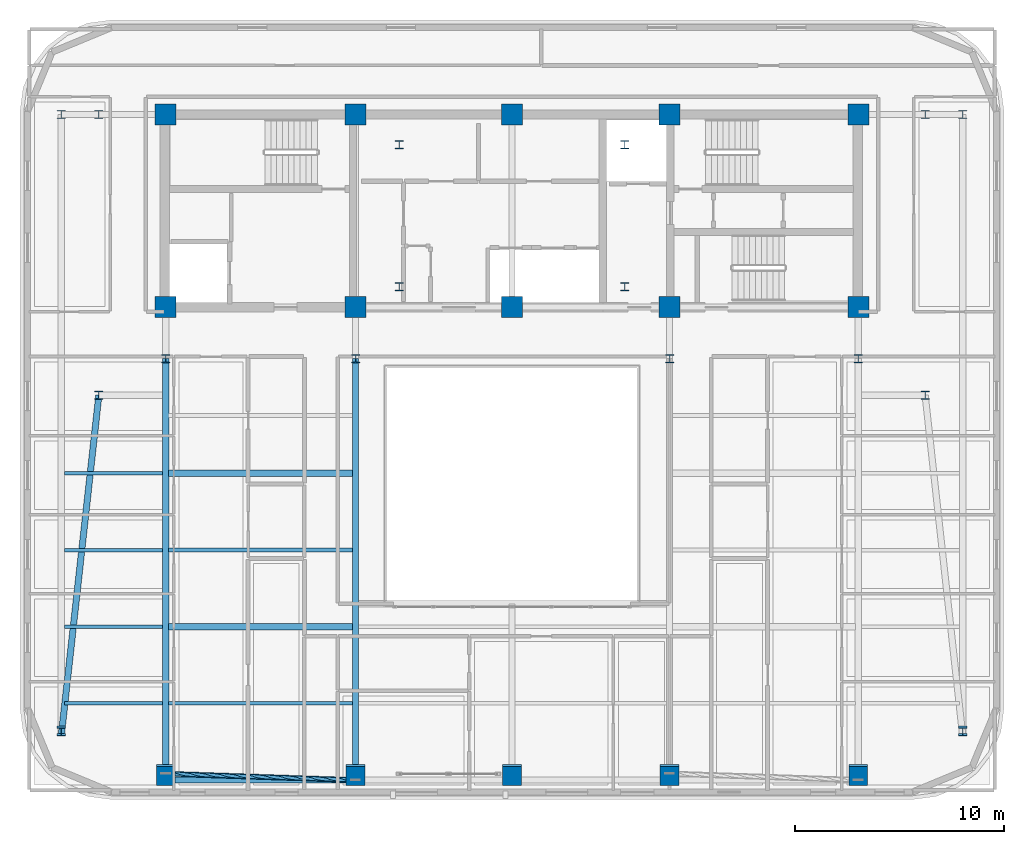
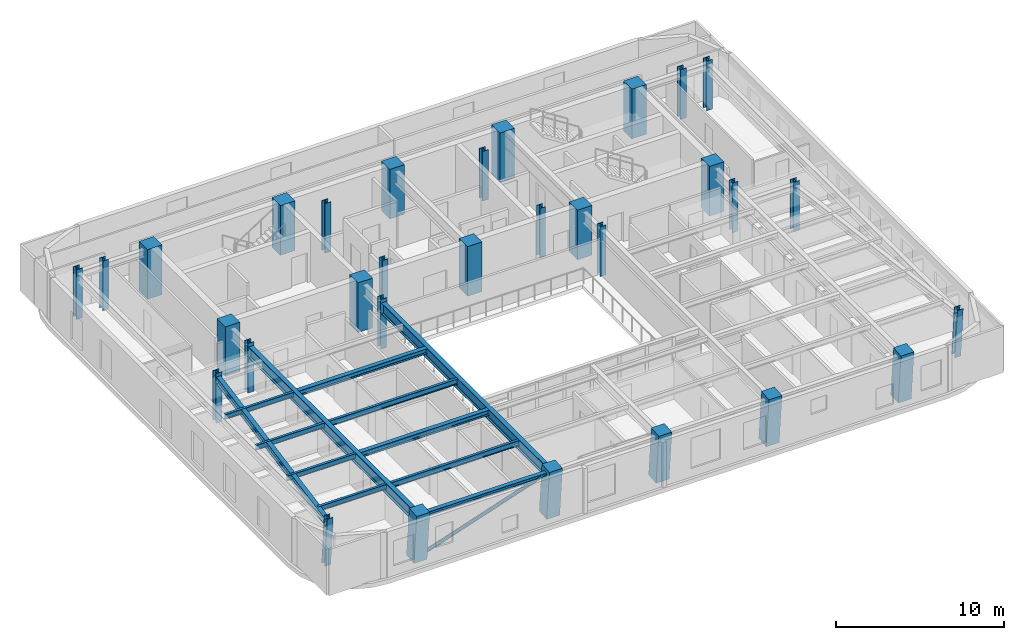
# One storey, part 1 of 14: 31 columns, 12 beams, 1 member.
"""IFC4 building model written with IfcOpenShell, lengths in metres."""

from ifc_helpers import new_model, si_unit, direction, frame, origin, origin_2d, place, context, subcontext, project, spatial, rectangle, hollow_circle, i_section, extrude, material, material_profile, profile_set, type_object, element, save


model = new_model("IFC4")

# Units and contexts
model_context = context("Model", 3, precision=1e-05, world=origin(), true_north=direction((0.0, 1.0)))
body_context = subcontext(model_context, "Body", "Model", "MODEL_VIEW")
ifc_project = project(units=[si_unit("LENGTHUNIT", "METRE"), si_unit("AREAUNIT", "SQUARE_METRE"), si_unit("VOLUMEUNIT", "CUBIC_METRE"), si_unit("PLANEANGLEUNIT", "RADIAN"), si_unit("MASSUNIT", "GRAM", prefix="KILO")], contexts=[model_context])

# Site, building, storey
site_placement = place(None, origin())
site = spatial("IfcSite", under=ifc_project, at=site_placement, CompositionType="ELEMENT")
building_placement = place(site_placement, origin())
building = spatial("IfcBuilding", under=site, at=building_placement, Name="Zarnavel Station Tower", CompositionType="ELEMENT")
storey_placement = place(building_placement, frame((0.0, 0.0, 229.199951171875)))
storey = spatial("IfcBuildingStorey", under=building, at=storey_placement, Name="L62", CompositionType="ELEMENT", Elevation=229.199951171875)

# Columns
ifc_material_1 = material(Name="Steel S355J2", Category="steel")
ifc_material_profile_1 = material_profile(ifc_material_1, i_section(OverallWidth=0.407958984375, OverallDepth=0.39990234375, WebThickness=0.02490234375, FlangeThickness=0.0390625, FilletRadius=0.014892578125, at=origin_2d()), Name="HD400x287")
ifc_profile_set_1 = profile_set([ifc_material_profile_1], Name="Steel S355J2")
column_type_1 = type_object("IfcColumnType", Name="EC_HD287", PredefinedType="COLUMN", material=ifc_profile_set_1)
column_1_placement = place(storey_placement, frame((7.199951171875, 7.55419921875, 0.0), z_axis=(0.0, -0.079901051777, 0.996802799918), x_axis=(1.0, 0.0, 0.0)))
element("IfcColumn", 1, at=column_1_placement, inside=storey, type_object=column_type_1, Name="L62 Raked Wing Column 1", PredefinedType="COLUMN", context=body_context, shape_type="SweptSolid", body=[
    extrude(i_section(OverallWidth=0.407958984375, OverallDepth=0.39990234375, WebThickness=0.02490234375, FlangeThickness=0.0390625, FilletRadius=0.014892578125, at=origin_2d()), origin(), (0.0, 0.0, 1.0), 3.611572265625),
])
column_2_placement = place(storey_placement, frame((7.199951171875, 37.050048828125, 0.0), z_axis=(0.0, 0.0, 1.0), x_axis=(1.0, 0.0, 0.0)))
element("IfcColumn", 2, at=column_2_placement, inside=storey, type_object=column_type_1, Name="L62 Outer Wing North Column 1", PredefinedType="COLUMN", context=body_context, shape_type="SweptSolid", body=[
    extrude(i_section(OverallWidth=0.407958984375, OverallDepth=0.39990234375, WebThickness=0.02490234375, FlangeThickness=0.0390625, FilletRadius=0.014892578125, at=origin_2d()), origin(), (0.0, 0.0, 1.0), 3.60009765625),
])
column_3_placement = place(storey_placement, frame((50.39990234375, 7.55419921875, 0.0), z_axis=(0.0, -0.079901051777, 0.996802799918), x_axis=(1.0, 0.0, 0.0)))
element("IfcColumn", 3, at=column_3_placement, inside=storey, type_object=column_type_1, Name="L62 Raked Wing Column 2", PredefinedType="COLUMN", context=body_context, shape_type="SweptSolid", body=[
    extrude(i_section(OverallWidth=0.407958984375, OverallDepth=0.39990234375, WebThickness=0.02490234375, FlangeThickness=0.0390625, FilletRadius=0.014892578125, at=origin_2d()), origin(), (0.0, 0.0, 1.0), 3.611572265625),
])
column_4_placement = place(storey_placement, frame((50.39990234375, 37.050048828125, 0.0), z_axis=(0.0, 0.0, 1.0), x_axis=(1.0, 0.0, 0.0)))
element("IfcColumn", 4, at=column_4_placement, inside=storey, type_object=column_type_1, Name="L62 Outer Wing North Column 2", PredefinedType="COLUMN", context=body_context, shape_type="SweptSolid", body=[
    extrude(i_section(OverallWidth=0.407958984375, OverallDepth=0.39990234375, WebThickness=0.02490234375, FlangeThickness=0.0390625, FilletRadius=0.014892578125, at=origin_2d()), origin(), (0.0, 0.0, 1.0), 3.60009765625),
])
ifc_material_2 = material(Name="Steel S355J2", Category="steel")
ifc_material_profile_2 = material_profile(ifc_material_2, i_section(OverallWidth=0.407958984375, OverallDepth=0.39990234375, WebThickness=0.02490234375, FlangeThickness=0.0390625, FilletRadius=0.014892578125, at=origin_2d()), Name="HD400x287")
ifc_profile_set_2 = profile_set([ifc_material_profile_2], Name="Steel S355J2")
column_type_2 = type_object("IfcColumnType", Name="IC_HD287", PredefinedType="COLUMN", material=ifc_profile_set_2)
for number, where, z_axis, x_axis, name in (
    (5, (23.39990234375, 28.800048828125, 0.0), (0.0, 0.0, 1.0), (1.0, 0.0, 0.0), "L62 Mast Spine Column 1"),
    (6, (34.199951171875, 28.800048828125, 0.0), (0.0, 0.0, 1.0), (1.0, 0.0, 0.0), "L62 Mast Spine Column 2"),
    (7, (34.199951171875, 35.60009765625, 0.0), (0.0, 0.0, 1.0), (1.0, 0.0, 0.0), "L62 Mast Spine Column 3"),
    (8, (23.39990234375, 35.60009765625, 0.0), (0.0, 0.0, 1.0), (1.0, 0.0, 0.0), "L62 Mast Spine Column 4"),
    (9, (12.199951171875, 25.35009765625, 0.0), (0.0, 0.0, 1.0), (1.0, 0.0, 0.0), "L62 Inner Spine Column 1"),
    (10, (21.300048828125, 25.35009765625, 0.0), (0.0, 0.0, 1.0), (1.0, 0.0, 0.0), "L62 Inner Spine Column 2"),
    (11, (36.35009765625, 25.35009765625, 0.0), (0.0, 0.0, 1.0), (1.0, 0.0, 0.0), "L62 Inner Spine Column 4"),
    (12, (45.39990234375, 25.35009765625, 0.0), (0.0, 0.0, 1.0), (1.0, 0.0, 0.0), "L62 Inner Spine Column 5"),
    (13, (9.0, 23.60009765625, 0.0), (0.0, 0.0, 1.0), (1.0, 0.0, 0.0), "L62 Inner Wing Spine Column 1-1"),
    (14, (9.0, 37.050048828125, 0.0), (0.0, 0.0, 1.0), (1.0, 0.0, 0.0), "L62 Inner Wing Spine Column 1-2"),
    (15, (48.60009765625, 23.60009765625, 0.0), (0.0, 0.0, 1.0), (1.0, 0.0, 0.0), "L62 Inner Wing Spine Column 2-1"),
    (16, (48.60009765625, 37.050048828125, 0.0), (0.0, 0.0, 1.0), (1.0, 0.0, 0.0), "L62 Inner Wing Spine Column 2-2"),
):
    element("IfcColumn", number, at=place(storey_placement, frame(where, z_axis=z_axis, x_axis=x_axis)), inside=storey, type_object=column_type_2, Name=name, PredefinedType="COLUMN", context=body_context, shape_type="SweptSolid", body=[
        extrude(i_section(OverallWidth=0.407958984375, OverallDepth=0.39990234375, WebThickness=0.02490234375, FlangeThickness=0.0390625, FilletRadius=0.014892578125, at=origin_2d()), origin(), (0.0, 0.0, 1.0), 3.60009765625),
    ])
ifc_material_3 = material(Name="Concrete C50/60", Category="concrete")
ifc_material_profile_3 = material_profile(ifc_material_3, rectangle(XDim=1.0, YDim=1.0, at=origin_2d()), Name="RC1000x1000")
ifc_profile_set_3 = profile_set([ifc_material_profile_3], Name="Concrete C50/60")
column_type_3 = type_object("IfcColumnType", Name="IC_RC1000", PredefinedType="COLUMN", material=ifc_profile_set_3)
for number, where, z_axis, x_axis, name in (
    (17, (12.199951171875, 27.820068359375, 0.0), (0.0, 0.0, 1.0), (1.0, 0.0, 0.0), "L62 Core Spine Column 1-1"),
    (18, (12.199951171875, 37.050048828125, 0.0), (0.0, 0.0, 1.0), (1.0, 0.0, 0.0), "L62 Core Spine Column 1-2"),
    (19, (21.300048828125, 27.820068359375, 0.0), (0.0, 0.0, 1.0), (1.0, 0.0, 0.0), "L62 Core Spine Column 2-1"),
    (20, (21.300048828125, 37.050048828125, 0.0), (0.0, 0.0, 1.0), (1.0, 0.0, 0.0), "L62 Core Spine Column 2-2"),
    (21, (28.800048828125, 27.820068359375, 0.0), (0.0, 0.0, 1.0), (1.0, 0.0, 0.0), "L62 Core Spine Column 3-1"),
    (22, (28.800048828125, 37.050048828125, 0.0), (0.0, 0.0, 1.0), (1.0, 0.0, 0.0), "L62 Core Spine Column 3-2"),
    (23, (36.35009765625, 27.820068359375, 0.0), (0.0, 0.0, 1.0), (1.0, 0.0, 0.0), "L62 Core Spine Column 4-1"),
    (24, (36.35009765625, 37.050048828125, 0.0), (0.0, 0.0, 1.0), (1.0, 0.0, 0.0), "L62 Core Spine Column 4-2"),
    (25, (45.39990234375, 27.820068359375, 0.0), (0.0, 0.0, 1.0), (1.0, 0.0, 0.0), "L62 Core Spine Column 5-1"),
    (26, (45.39990234375, 37.050048828125, 0.0), (0.0, 0.0, 1.0), (1.0, 0.0, 0.0), "L62 Core Spine Column 5-2"),
):
    element("IfcColumn", number, at=place(storey_placement, frame(where, z_axis=z_axis, x_axis=x_axis)), inside=storey, type_object=column_type_3, Name=name, PredefinedType="COLUMN", context=body_context, shape_type="SweptSolid", body=[
        extrude(rectangle(XDim=1.0, YDim=1.0, at=origin_2d()), origin(), (0.0, 0.0, 1.0), 3.60009765625),
    ])
ifc_material_4 = material(Name="Concrete C50/60", Category="concrete")
ifc_material_profile_4 = material_profile(ifc_material_4, rectangle(XDim=0.89990234375, YDim=0.89990234375, at=origin_2d()), Name="RC900x900")
ifc_profile_set_4 = profile_set([ifc_material_profile_4], Name="Concrete C50/60")
column_type_4 = type_object("IfcColumnType", Name="MC_RC900", PredefinedType="COLUMN", material=ifc_profile_set_4)
for number, where, z_axis, x_axis, name in (
    (27, (12.199951171875, 5.4580078125, 0.0), (0.0, -0.090298253426, 0.995914768154), (1.0, 0.0, 0.0), "L62 Raked South Mega-Column 1"),
    (28, (21.300048828125, 5.4580078125, 0.0), (0.0, -0.090298253426, 0.995914768154), (1.0, 0.0, 0.0), "L62 Raked South Mega-Column 2"),
    (29, (28.800048828125, 5.4580078125, 0.0), (0.0, -0.090298253426, 0.995914768154), (1.0, 0.0, 0.0), "L62 Raked South Mega-Column 3"),
    (30, (36.35009765625, 5.4580078125, 0.0), (0.0, -0.090298253426, 0.995914768154), (1.0, 0.0, 0.0), "L62 Raked South Mega-Column 4"),
    (31, (45.39990234375, 5.4580078125, 0.0), (0.0, -0.090298253426, 0.995914768154), (1.0, 0.0, 0.0), "L62 Raked South Mega-Column 5"),
):
    element("IfcColumn", number, at=place(storey_placement, frame(where, z_axis=z_axis, x_axis=x_axis)), inside=storey, type_object=column_type_4, Name=name, PredefinedType="COLUMN", context=body_context, shape_type="SweptSolid", body=[
        extrude(rectangle(XDim=0.89990234375, YDim=0.89990234375, at=origin_2d()), origin(), (0.0, 0.0, 1.0), 3.61474609375),
    ])

# Member
ifc_material_5 = material(Name="Steel S355J2", Category="steel")
ifc_material_profile_5 = material_profile(ifc_material_5, hollow_circle(Radius=0.122314453125, WallThickness=0.010009765625, at=origin_2d()), Name="CHS244.5x10")
ifc_profile_set_5 = profile_set([ifc_material_profile_5], Name="Steel S355J2")
member_type = type_object("IfcMemberType", Name="DB_EXT_CHS245", PredefinedType="BRACE", material=ifc_profile_set_5)
member_placement = place(storey_placement, frame((12.199951171875, 5.4580078125, 0.0), z_axis=(0.938305928034, -0.03121477037, 0.344394575346), x_axis=(0.033248763554, 0.999447107016, 0.0)))
element("IfcMember", 32, at=member_placement, inside=storey, type_object=member_type, Name="L62 Persian Exterior Diagonal Frame Brace 1", PredefinedType="BRACE", context=body_context, shape_type="SweptSolid", body=[
    extrude(hollow_circle(Radius=0.122314453125, WallThickness=0.010009765625, at=origin_2d()), origin(), (0.0, 0.0, 1.0), 9.698486328125),
])

# Beams
ifc_material_6 = material(Name="Steel S355J2", Category="steel")
ifc_material_profile_6 = material_profile(ifc_material_6, i_section(OverallWidth=0.300048828125, OverallDepth=0.320068359375, WebThickness=0.011474609375, FlangeThickness=0.0205078125, FilletRadius=0.027099609375, at=origin_2d()), Name="HEB320")
ifc_profile_set_6 = profile_set([ifc_material_profile_6], Name="Steel S355J2")
beam_type_1 = type_object("IfcBeamType", Name="EB_HEB320", PredefinedType="SPANDREL", material=ifc_profile_set_6)
beam_1_placement = place(storey_placement, frame((12.199951171875, 5.1552734375, 3.179931640625), z_axis=(1.0, 0.0, 0.0), x_axis=(0.0, 1.0, 0.0)))
element("IfcBeam", 33, at=beam_1_placement, inside=storey, type_object=beam_type_1, Name="L62 South Raked Spandrel 1", PredefinedType="SPANDREL", context=body_context, shape_type="SweptSolid", body=[
    extrude(i_section(OverallWidth=0.300048828125, OverallDepth=0.320068359375, WebThickness=0.011474609375, FlangeThickness=0.0205078125, FilletRadius=0.027099609375, at=origin_2d()), origin(), (0.0, 0.0, 1.0), 9.10009765625),
])
ifc_material_7 = material(Name="Steel S355J2", Category="steel")
ifc_material_profile_7 = material_profile(ifc_material_7, i_section(OverallWidth=0.300048828125, OverallDepth=0.389892578125, WebThickness=0.010986328125, FlangeThickness=0.01904296875, FilletRadius=0.027099609375, at=origin_2d()), Name="HEA400")
ifc_profile_set_7 = profile_set([ifc_material_profile_7], Name="Steel S355J2")
beam_type_2 = type_object("IfcBeamType", Name="FB_HEA400", PredefinedType="BEAM", material=ifc_profile_set_7)
for number, where, z_axis, x_axis, name in (
    (34, (12.344970703125, 12.50341796875, 3.14501953125), (1.0, 0.0, 0.0), (0.0, 1.0, 0.0), "L62 West Bay Beam 2"),
    (35, (12.344970703125, 19.851806640625, 3.14501953125), (1.0, 0.0, 0.0), (0.0, 1.0, 0.0), "L62 West Bay Beam 4"),
):
    element("IfcBeam", number, at=place(storey_placement, frame(where, z_axis=z_axis, x_axis=x_axis)), inside=storey, type_object=beam_type_2, Name=name, PredefinedType="BEAM", context=body_context, shape_type="SweptSolid", body=[
        extrude(i_section(OverallWidth=0.300048828125, OverallDepth=0.389892578125, WebThickness=0.010986328125, FlangeThickness=0.01904296875, FilletRadius=0.027099609375, at=origin_2d()), origin(), (0.0, 0.0, 1.0), 8.81005859375),
    ])
ifc_material_8 = material(Name="Steel S355J2", Category="steel")
ifc_material_profile_8 = material_profile(ifc_material_8, i_section(OverallWidth=0.179931640625, OverallDepth=0.39990234375, WebThickness=0.008544921875, FlangeThickness=0.013427734375, FilletRadius=0.02099609375, at=origin_2d()), Name="IPE400")
ifc_profile_set_8 = profile_set([ifc_material_profile_8], Name="Steel S355J2")
beam_type_3 = type_object("IfcBeamType", Name="FB_IPE400", PredefinedType="BEAM", material=ifc_profile_set_8)
for number, where, z_axis, x_axis, name in (
    (36, (12.344970703125, 8.829345703125, 3.14013671875), (1.0, 0.0, 0.0), (0.0, 1.0, 0.0), "L62 West Bay Beam 1"),
    (37, (12.344970703125, 16.177490234375, 3.14013671875), (1.0, 0.0, 0.0), (0.0, 1.0, 0.0), "L62 West Bay Beam 3"),
):
    element("IfcBeam", number, at=place(storey_placement, frame(where, z_axis=z_axis, x_axis=x_axis)), inside=storey, type_object=beam_type_3, Name=name, PredefinedType="BEAM", context=body_context, shape_type="SweptSolid", body=[
        extrude(i_section(OverallWidth=0.179931640625, OverallDepth=0.39990234375, WebThickness=0.008544921875, FlangeThickness=0.013427734375, FilletRadius=0.02099609375, at=origin_2d()), origin(), (0.0, 0.0, 1.0), 8.81005859375),
    ])
ifc_material_9 = material(Name="Steel S355J2", Category="steel")
ifc_material_profile_9 = material_profile(ifc_material_9, i_section(OverallWidth=0.300048828125, OverallDepth=0.5, WebThickness=0.014404296875, FlangeThickness=0.028076171875, FilletRadius=0.027099609375, at=origin_2d()), Name="HEB500")
ifc_profile_set_9 = profile_set([ifc_material_profile_9], Name="Steel S355J2")
beam_type_4 = type_object("IfcBeamType", Name="FG_HEB500", PredefinedType="USERDEFINED", material=ifc_profile_set_9)
beam_2_placement = place(storey_placement, frame((7.199951171875, 7.286376953125, 3.090087890625), z_axis=(0.109673953416, 0.99396761715, 0.0), x_axis=(-0.99396761715, 0.109673953416, 0.0)))
element("IfcBeam", 38, at=beam_2_placement, inside=storey, type_object=beam_type_4, Name="L62 West Wing South Tie 1", ObjectType="GIRDER", PredefinedType="USERDEFINED", context=body_context, shape_type="SweptSolid", body=[
    extrude(i_section(OverallWidth=0.300048828125, OverallDepth=0.5, WebThickness=0.014404296875, FlangeThickness=0.028076171875, FilletRadius=0.027099609375, at=origin_2d()), origin(), (0.0, 0.0, 1.0), 16.412841796875),
])
ifc_material_10 = material(Name="Steel S355J2", Category="steel")
ifc_material_profile_10 = material_profile(ifc_material_10, i_section(OverallWidth=0.300048828125, OverallDepth=0.800048828125, WebThickness=0.017578125, FlangeThickness=0.032958984375, FilletRadius=0.030029296875, at=origin_2d()), Name="HEB800")
ifc_profile_set_10 = profile_set([ifc_material_profile_10], Name="Steel S355J2")
beam_type_5 = type_object("IfcBeamType", Name="FG_HEB800", PredefinedType="USERDEFINED", material=ifc_profile_set_10)
for number, where, z_axis, x_axis, name in (
    (39, (12.199951171875, 5.1552734375, 2.93994140625), (0.0, 1.0, 0.0), (-1.0, 0.0, 0.0), "L62 South-Zone NS Girder 1"),
    (40, (21.300048828125, 5.1552734375, 2.93994140625), (0.0, 1.0, 0.0), (-1.0, 0.0, 0.0), "L62 South-Zone NS Girder 2"),
):
    element("IfcBeam", number, at=place(storey_placement, frame(where, z_axis=z_axis, x_axis=x_axis)), inside=storey, type_object=beam_type_5, Name=name, ObjectType="GIRDER", PredefinedType="USERDEFINED", context=body_context, shape_type="SweptSolid", body=[
        extrude(i_section(OverallWidth=0.300048828125, OverallDepth=0.800048828125, WebThickness=0.017578125, FlangeThickness=0.032958984375, FilletRadius=0.030029296875, at=origin_2d()), origin(), (0.0, 0.0, 1.0), 20.19482421875),
    ])
ifc_material_11 = material(Name="Steel S355J2", Category="steel")
ifc_material_profile_11 = material_profile(ifc_material_11, i_section(OverallWidth=0.169921875, OverallDepth=0.360107421875, WebThickness=0.008056640625, FlangeThickness=0.0126953125, FilletRadius=0.01806640625, at=origin_2d()), Name="IPE360")
ifc_profile_set_11 = profile_set([ifc_material_profile_11], Name="Steel S355J2")
beam_type_6 = type_object("IfcBeamType", Name="FJ_IPE360", PredefinedType="JOIST", material=ifc_profile_set_11)
for number, where, z_axis, x_axis, name in (
    (41, (7.344970703125, 8.829345703125, 3.16015625), (1.0, 0.0, 0.0), (0.0, 1.0, 0.0), "L62 West Wing Joist 1"),
    (42, (7.344970703125, 12.50341796875, 3.16015625), (1.0, 0.0, 0.0), (0.0, 1.0, 0.0), "L62 West Wing Joist 2"),
    (43, (7.344970703125, 16.177490234375, 3.16015625), (1.0, 0.0, 0.0), (0.0, 1.0, 0.0), "L62 West Wing Joist 3"),
    (44, (7.344970703125, 19.851806640625, 3.16015625), (1.0, 0.0, 0.0), (0.0, 1.0, 0.0), "L62 West Wing Joist 4"),
):
    element("IfcBeam", number, at=place(storey_placement, frame(where, z_axis=z_axis, x_axis=x_axis)), inside=storey, type_object=beam_type_6, Name=name, PredefinedType="JOIST", context=body_context, shape_type="SweptSolid", body=[
        extrude(i_section(OverallWidth=0.169921875, OverallDepth=0.360107421875, WebThickness=0.008056640625, FlangeThickness=0.0126953125, FilletRadius=0.01806640625, at=origin_2d()), origin(), (0.0, 0.0, 1.0), 4.7099609375),
    ])

save(model, "model.ifc")
